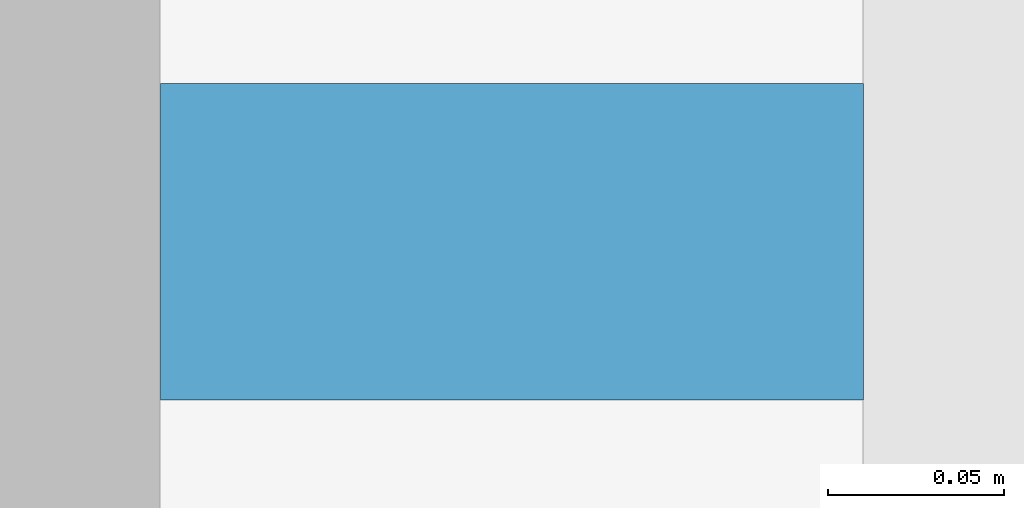
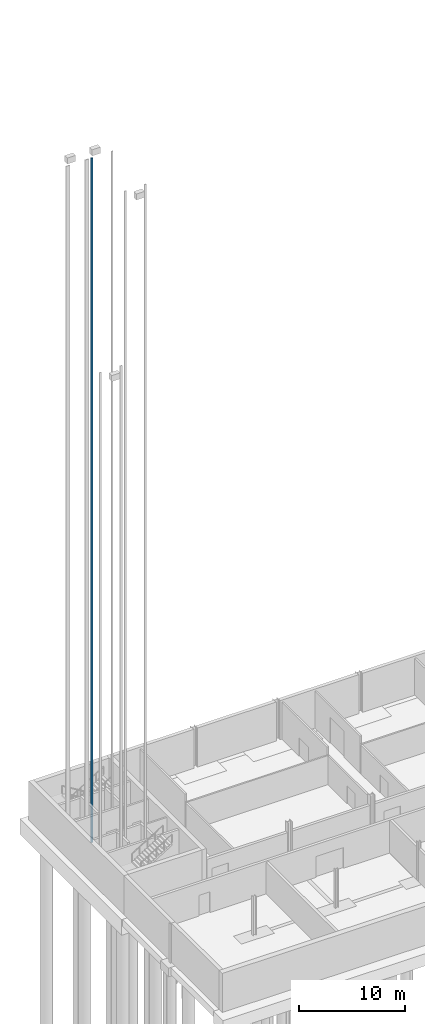
# One storey, part 24 of 41: 1 discrete accessory.
"""IFC4 building model written with IfcOpenShell, lengths in metres."""

from ifc_helpers import new_model, si_unit, direction, frame, origin, origin_2d, place, context, subcontext, project, spatial, rectangle, extrude, material, type_object, element, save


model = new_model("IFC4")

# Units and contexts
model_context = context("Model", 3, precision=1e-05, world=origin(), true_north=direction((0.0, 1.0)))
body_context = subcontext(model_context, "Body", "Model", "MODEL_VIEW")
ifc_project = project(units=[si_unit("LENGTHUNIT", "METRE"), si_unit("AREAUNIT", "SQUARE_METRE"), si_unit("VOLUMEUNIT", "CUBIC_METRE"), si_unit("PLANEANGLEUNIT", "RADIAN"), si_unit("MASSUNIT", "GRAM", prefix="KILO")], contexts=[model_context])

# Site, building, storey
site_placement = place(None, origin())
site = spatial("IfcSite", under=ifc_project, at=site_placement, CompositionType="ELEMENT")
building_placement = place(site_placement, origin())
building = spatial("IfcBuilding", under=site, at=building_placement, Name="Corbel Yard City Hall", CompositionType="ELEMENT")
storey_placement = place(building_placement, frame((0.0, 0.0, -4.5)))
storey = spatial("IfcBuildingStorey", under=building, at=storey_placement, Name="B1", CompositionType="ELEMENT", Elevation=-4.5)

# Discrete accessory
ifc_material = material(Name="Steel Grade G250", Category="steel")
discrete_accessory_type = type_object("IfcDiscreteAccessoryType", Name="LR1", PredefinedType="USERDEFINED", material=ifc_material)
discrete_accessory_placement = place(storey_placement, frame((3.35009765625, 110.85009765625, 0.0), z_axis=(0.0, 0.0, 1.0), x_axis=(1.0, 0.0, 0.0)))
element("IfcDiscreteAccessory", 1, at=discrete_accessory_placement, inside=storey, type_object=discrete_accessory_type, Name="Lift LP24 guide rail 1", ObjectType="GUIDE RAIL", PredefinedType="USERDEFINED", context=body_context, shape_type="SweptSolid", body=[
    extrude(rectangle(XDim=0.199951171875, YDim=0.090087890625, at=origin_2d()), origin(), (0.0, 0.0, 1.0), 79.0),
])

save(model, "model.ifc")
